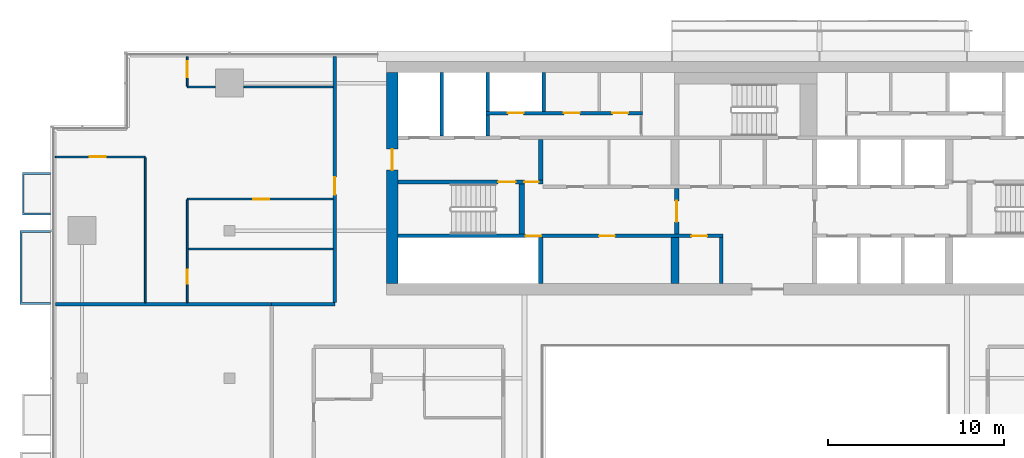
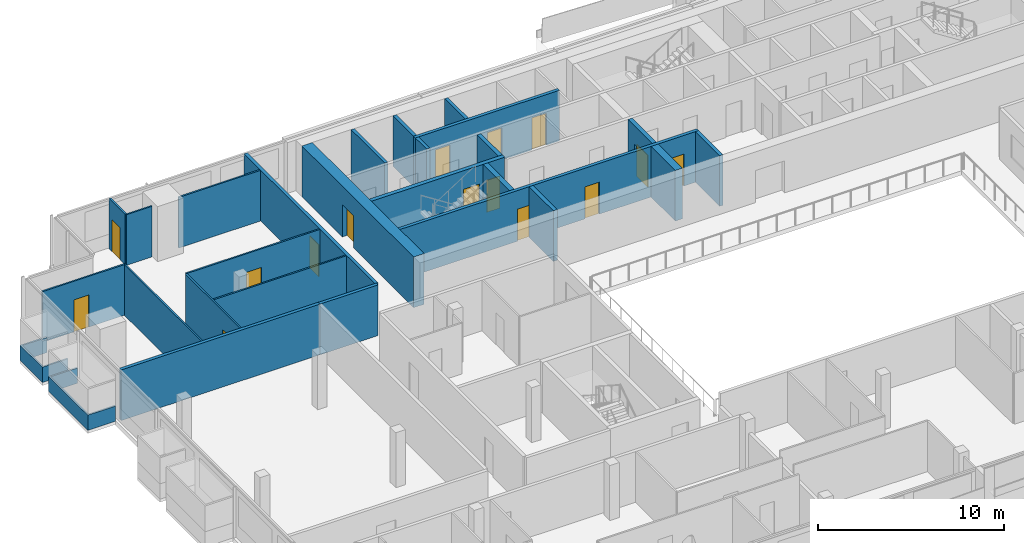
# One storey, part 21 of 27: 27 walls, 15 doors, 15 openings.
"""IFC4 building model written with IfcOpenShell, lengths in metres."""

from ifc_helpers import new_model, si_unit, direction, frame, frame_2d, origin, place, context, subcontext, project, spatial, polyline, rectangle, outline, extrude, material, layer, layer_set, type_object, element, fill, save


model = new_model("IFC4")

# Units and contexts
model_context = context("Model", 3, precision=1e-05, world=origin(), true_north=direction((0.0, 1.0)))
body_context = subcontext(model_context, "Body", "Model", "MODEL_VIEW")
ifc_project = project(units=[si_unit("LENGTHUNIT", "METRE"), si_unit("AREAUNIT", "SQUARE_METRE"), si_unit("VOLUMEUNIT", "CUBIC_METRE"), si_unit("PLANEANGLEUNIT", "RADIAN"), si_unit("MASSUNIT", "GRAM", prefix="KILO")], contexts=[model_context])

# Site, building, storey
site_placement = place(None, origin())
site = spatial("IfcSite", under=ifc_project, at=site_placement, CompositionType="ELEMENT")
building_placement = place(site_placement, origin())
building = spatial("IfcBuilding", under=site, at=building_placement, Name="Saffron Gate Tower", CompositionType="ELEMENT")
storey_placement = place(building_placement, frame((0.0, 0.0, 209.10009765625)))
storey = spatial("IfcBuildingStorey", under=building, at=storey_placement, Name="L50", CompositionType="ELEMENT", Elevation=209.10009765625)

# Walls
ifc_material_1 = material(Name="Gypsum board partition on steel studs", Category="steel")
ifc_layer_1 = layer(ifc_material_1, 0.199951171875)
ifc_layer_set_1 = layer_set([ifc_layer_1], Name="CW10 Core partition 200")
wall_type_1 = type_object("IfcWallType", Name="CW10 Core partition 200", PredefinedType="PARTITIONING", material=ifc_layer_set_1)
wall_1_placement = place(storey_placement, frame((86.199951171875, 62.39990234375, 0.0), z_axis=(0.0, 0.0, 1.0), x_axis=(0.0, 1.0, 0.0)))
element("IfcWall", 1, at=wall_1_placement, inside=storey, type_object=wall_type_1, Name="Wall CW10-L50-7", PredefinedType="PARTITIONING", context=body_context, shape_type="SweptSolid", body=[
    extrude(rectangle(XDim=2.60009765625, YDim=0.199951171875, at=frame_2d((1.300048828125, 0.0))), origin(), (0.0, 0.0, 1.0), 3.31982421875),
])
ifc_material_2 = material(Name="Concrete C60", Category="concrete")
ifc_layer_2 = layer(ifc_material_2, 0.25)
ifc_layer_set_2 = layer_set([ifc_layer_2], Name="CW14 RC core wall 250 C60")
wall_type_2 = type_object("IfcWallType", Name="CW14 RC core wall 250 C60", PredefinedType="SOLIDWALL", material=ifc_layer_set_2)
wall_2_placement = place(storey_placement, frame((75.925048828125, 62.39990234375, 0.0), z_axis=(0.0, 0.0, 1.0), x_axis=(0.0, 1.0, 0.0)))
element("IfcWall", 2, at=wall_2_placement, inside=storey, type_object=wall_type_2, Name="Wall CW14-L50-5", PredefinedType="SOLIDWALL", context=body_context, shape_type="SweptSolid", body=[
    extrude(rectangle(XDim=2.60009765625, YDim=0.25, at=frame_2d((1.300048828125, 0.0))), origin(), (0.0, 0.0, 1.0), 3.31982421875),
])

# Wall, opening, door
wall_3_placement = place(storey_placement, frame((83.675048828125, 65.199951171875, 0.0), z_axis=(0.0, 0.0, 1.0), x_axis=(0.0, 1.0, 0.0)))
wall_3 = element("IfcWall", 3, at=wall_3_placement, inside=storey, type_object=wall_type_2, Name="Wall CW14-L50-15", PredefinedType="SOLIDWALL", context=body_context, shape_type="SweptSolid", body=[
    extrude(rectangle(XDim=2.60009765625, YDim=0.25, at=frame_2d((1.300048828125, 0.0))), origin(), (0.0, 0.0, 1.0), 3.31982421875),
])
opening_1_placement = place(wall_3_placement, frame((0.699951171875, 0.0, 0.0)))
opening_1 = element("IfcOpeningElement", 4, at=opening_1_placement, cuts=wall_3, Name="Opening CR-07", PredefinedType="OPENING", context=body_context, shape_type="SweptSolid", body=[
    extrude(rectangle(XDim=1.199951171875, YDim=2.10009765625, at=frame_2d((0.60009765625, 1.050048828125))), frame((0.0, 0.135009765625, 0.0), z_axis=(0.0, -1.0, 0.0), x_axis=(1.0, 0.0, 0.0)), (0.0, 0.0, 1.0), 0.27001953125),
])
ifc_material_3 = material(Name="Steel fire door set", Category="steel")
door_type_1 = type_object("IfcDoorType", Name="CD3 Lobby door 1200x2100 EI 120", OperationType="NOTDEFINED", PredefinedType="DOOR", material=ifc_material_3)
door_1_placement = place(opening_1_placement, origin())
door_1 = element("IfcDoor", 5, at=door_1_placement, inside=storey, type_object=door_type_1, Name="DOOR CR-07", OperationType="SINGLE_SWING_RIGHT", OverallHeight=2.10009765625, OverallWidth=1.199951171875, PredefinedType="DOOR", context=body_context, shape_type="SweptSolid", body=[
    extrude(rectangle(XDim=1.199951171875, YDim=2.10009765625, at=frame_2d((0.60009765625, 1.050048828125))), frame((0.0, 0.02490234375, 0.0), z_axis=(0.0, -1.0, 0.0), x_axis=(1.0, 0.0, 0.0)), (0.0, 0.0, 1.0), 0.050048828125),
])
fill(opening_1, door_1)

# Wall, openings, doors
wall_4_placement = place(storey_placement, frame((67.800048828125, 68.175048828125, 0.0), z_axis=(0.0, 0.0, 1.0), x_axis=(1.0, 0.0, 0.0)))
wall_4 = element("IfcWall", 6, at=wall_4_placement, inside=storey, type_object=wall_type_2, Name="Wall CW14-L50-27", PredefinedType="SOLIDWALL", context=body_context, shape_type="SweptSolid", body=[
    extrude(rectangle(XDim=8.25, YDim=0.25, at=frame_2d((4.125, 0.0))), origin(), (0.0, 0.0, 1.0), 3.31982421875),
])
opening_2_placement = place(wall_4_placement, frame((5.699951171875, 0.0, 0.0)))
opening_2 = element("IfcOpeningElement", 7, at=opening_2_placement, cuts=wall_4, Name="Opening CR-15", PredefinedType="OPENING", context=body_context, shape_type="SweptSolid", body=[
    extrude(rectangle(XDim=1.0, YDim=2.10009765625, at=frame_2d((0.5, 1.050048828125))), frame((0.0, 0.135009765625, 0.0), z_axis=(0.0, -1.0, 0.0), x_axis=(1.0, 0.0, 0.0)), (0.0, 0.0, 1.0), 0.27001953125),
])
opening_3_placement = place(wall_4_placement, frame((7.199951171875, 0.0, 0.0)))
opening_3 = element("IfcOpeningElement", 8, at=opening_3_placement, cuts=wall_4, Name="Opening CR-06", PredefinedType="OPENING", context=body_context, shape_type="SweptSolid", body=[
    extrude(rectangle(XDim=0.800048828125, YDim=2.10009765625, at=frame_2d((0.39990234375, 1.050048828125))), frame((0.0, 0.135009765625, 0.0), z_axis=(0.0, -1.0, 0.0), x_axis=(1.0, 0.0, 0.0)), (0.0, 0.0, 1.0), 0.27001953125),
])
door_type_2 = type_object("IfcDoorType", Name="CD5 Stair door 1000x2100 EI 120", OperationType="NOTDEFINED", PredefinedType="DOOR", material=ifc_material_3)
door_2_placement = place(opening_2_placement, origin())
door_2 = element("IfcDoor", 9, at=door_2_placement, inside=storey, type_object=door_type_2, Name="DOOR CR-15", OperationType="SINGLE_SWING_RIGHT", OverallHeight=2.10009765625, OverallWidth=1.0, PredefinedType="DOOR", context=body_context, shape_type="SweptSolid", body=[
    extrude(rectangle(XDim=1.0, YDim=2.10009765625, at=frame_2d((0.5, 1.050048828125))), frame((0.0, 0.02490234375, 0.0), z_axis=(0.0, -1.0, 0.0), x_axis=(1.0, 0.0, 0.0)), (0.0, 0.0, 1.0), 0.050048828125),
])
fill(opening_2, door_2)
door_type_3 = type_object("IfcDoorType", Name="CD6 Lobby door 800x2100 EI 120", OperationType="NOTDEFINED", PredefinedType="DOOR", material=ifc_material_3)
door_3_placement = place(opening_3_placement, origin())
door_3 = element("IfcDoor", 10, at=door_3_placement, inside=storey, type_object=door_type_3, Name="DOOR CR-06", OperationType="SINGLE_SWING_LEFT", OverallHeight=2.10009765625, OverallWidth=0.800048828125, PredefinedType="DOOR", context=body_context, shape_type="SweptSolid", body=[
    extrude(rectangle(XDim=0.800048828125, YDim=2.10009765625, at=frame_2d((0.39990234375, 1.050048828125))), frame((0.0, 0.02490234375, 0.0), z_axis=(0.0, -1.0, 0.0), x_axis=(1.0, 0.0, 0.0)), (0.0, 0.0, 1.0), 0.050048828125),
])
fill(opening_3, door_3)

# Wall
wall_5_placement = place(storey_placement, frame((75.925048828125, 68.300048828125, 0.0), z_axis=(0.0, 0.0, 1.0), x_axis=(0.0, 1.0, 0.0)))
element("IfcWall", 11, at=wall_5_placement, inside=storey, type_object=wall_type_2, Name="Wall CW14-L50-29", PredefinedType="SOLIDWALL", context=body_context, shape_type="SweptSolid", body=[
    extrude(rectangle(XDim=2.300048828125, YDim=0.25, at=frame_2d((1.14990234375, 0.0))), origin(), (0.0, 0.0, 1.0), 3.31982421875),
])

# Wall, openings, doors
ifc_layer_3 = layer(ifc_material_2, 0.199951171875)
ifc_layer_set_3 = layer_set([ifc_layer_3], Name="CW15 RC core wall 200 C60")
wall_type_3 = type_object("IfcWallType", Name="CW15 RC core wall 200 C60", PredefinedType="SOLIDWALL", material=ifc_layer_set_3)
wall_6_placement = place(storey_placement, frame((67.800048828125, 65.10009765625, 0.0), z_axis=(0.0, 0.0, 1.0), x_axis=(1.0, 0.0, 0.0)))
wall_6 = element("IfcWall", 12, at=wall_6_placement, inside=storey, type_object=wall_type_3, Name="Wall CW15-L50-12", PredefinedType="SOLIDWALL", context=body_context, shape_type="SweptSolid", body=[
    extrude(rectangle(XDim=18.5, YDim=0.199951171875, at=frame_2d((9.25, 0.0))), origin(), (0.0, 0.0, 1.0), 3.31982421875),
])
opening_4_placement = place(wall_6_placement, frame((7.27001953125, 0.0, 0.0)))
opening_4 = element("IfcOpeningElement", 13, at=opening_4_placement, cuts=wall_6, Name="Opening CR-49", PredefinedType="OPENING", context=body_context, shape_type="SweptSolid", body=[
    extrude(rectangle(XDim=0.89990234375, YDim=2.10009765625, at=frame_2d((0.449951171875, 1.050048828125))), frame((0.0, 0.10986328125, 0.0), z_axis=(0.0, -1.0, 0.0), x_axis=(1.0, 0.0, 0.0)), (0.0, 0.0, 1.0), 0.219970703125),
])
opening_5_placement = place(wall_6_placement, frame((11.449951171875, 0.0, 0.0)))
opening_5 = element("IfcOpeningElement", 14, at=opening_5_placement, cuts=wall_6, Name="Opening CR-64", PredefinedType="OPENING", context=body_context, shape_type="SweptSolid", body=[
    extrude(rectangle(XDim=0.89990234375, YDim=2.10009765625, at=frame_2d((0.449951171875, 1.050048828125))), frame((0.0, 0.10986328125, 0.0), z_axis=(0.0, -1.0, 0.0), x_axis=(1.0, 0.0, 0.0)), (0.0, 0.0, 1.0), 0.219970703125),
])
opening_6_placement = place(wall_6_placement, frame((16.699951171875, 0.0, 0.0)))
opening_6 = element("IfcOpeningElement", 15, at=opening_6_placement, cuts=wall_6, Name="Opening CR-69", PredefinedType="OPENING", context=body_context, shape_type="SweptSolid", body=[
    extrude(rectangle(XDim=0.89990234375, YDim=2.10009765625, at=frame_2d((0.449951171875, 1.050048828125))), frame((0.0, 0.10986328125, 0.0), z_axis=(0.0, -1.0, 0.0), x_axis=(1.0, 0.0, 0.0)), (0.0, 0.0, 1.0), 0.219970703125),
])
door_type_4 = type_object("IfcDoorType", Name="CD2 Riser door 900x2100 EI 60", OperationType="NOTDEFINED", PredefinedType="DOOR", material=ifc_material_3)
door_4_placement = place(opening_4_placement, origin())
door_4 = element("IfcDoor", 16, at=door_4_placement, inside=storey, type_object=door_type_4, Name="DOOR CR-49", OperationType="SINGLE_SWING_LEFT", OverallHeight=2.10009765625, OverallWidth=0.89990234375, PredefinedType="DOOR", context=body_context, shape_type="SweptSolid", body=[
    extrude(rectangle(XDim=0.89990234375, YDim=2.10009765625, at=frame_2d((0.449951171875, 1.050048828125))), frame((0.0, 0.02490234375, 0.0), z_axis=(0.0, -1.0, 0.0), x_axis=(1.0, 0.0, 0.0)), (0.0, 0.0, 1.0), 0.050048828125),
])
fill(opening_4, door_4)
door_type_5 = type_object("IfcDoorType", Name="CD9 Room door 900x2100 EI 60", OperationType="NOTDEFINED", PredefinedType="DOOR", material=ifc_material_3)
door_5_placement = place(opening_5_placement, origin())
door_5 = element("IfcDoor", 17, at=door_5_placement, inside=storey, type_object=door_type_5, Name="DOOR CR-64", OperationType="SINGLE_SWING_RIGHT", OverallHeight=2.10009765625, OverallWidth=0.89990234375, PredefinedType="DOOR", context=body_context, shape_type="SweptSolid", body=[
    extrude(rectangle(XDim=0.89990234375, YDim=2.10009765625, at=frame_2d((0.449951171875, 1.050048828125))), frame((0.0, 0.02490234375, 0.0), z_axis=(0.0, -1.0, 0.0), x_axis=(1.0, 0.0, 0.0)), (0.0, 0.0, 1.0), 0.050048828125),
])
fill(opening_5, door_5)
door_6_placement = place(opening_6_placement, origin())
door_6 = element("IfcDoor", 18, at=door_6_placement, inside=storey, type_object=door_type_5, Name="DOOR CR-69", OperationType="SINGLE_SWING_RIGHT", OverallHeight=2.10009765625, OverallWidth=0.89990234375, PredefinedType="DOOR", context=body_context, shape_type="SweptSolid", body=[
    extrude(rectangle(XDim=0.89990234375, YDim=2.10009765625, at=frame_2d((0.449951171875, 1.050048828125))), frame((0.0, 0.02490234375, 0.0), z_axis=(0.0, -1.0, 0.0), x_axis=(1.0, 0.0, 0.0)), (0.0, 0.0, 1.0), 0.050048828125),
])
fill(opening_6, door_6)

# Walls
wall_7_placement = place(storey_placement, frame((70.300048828125, 70.800048828125, 0.0), z_axis=(0.0, 0.0, 1.0), x_axis=(0.0, 1.0, 0.0)))
element("IfcWall", 19, at=wall_7_placement, inside=storey, type_object=wall_type_3, Name="Wall CW15-L50-32", PredefinedType="SOLIDWALL", context=body_context, shape_type="SweptSolid", body=[
    extrude(rectangle(XDim=3.599853515625, YDim=0.199951171875, at=frame_2d((1.7998046875, 0.0))), origin(), (0.0, 0.0, 1.0), 3.31982421875),
])
wall_8_placement = place(storey_placement, frame((72.89990234375, 70.800048828125, 0.0), z_axis=(0.0, 0.0, 1.0), x_axis=(0.0, 1.0, 0.0)))
element("IfcWall", 20, at=wall_8_placement, inside=storey, type_object=wall_type_3, Name="Wall CW15-L50-33", PredefinedType="SOLIDWALL", context=body_context, shape_type="SweptSolid", body=[
    extrude(rectangle(XDim=1.199951171875, YDim=0.199951171875, at=frame_2d((0.60009765625, 0.0))), origin(), (0.0, 0.0, 1.0), 3.31982421875),
])

# Wall, openings, doors
wall_9_placement = place(storey_placement, frame((72.800048828125, 72.10009765625, 0.0), z_axis=(0.0, 0.0, 1.0), x_axis=(1.0, 0.0, 0.0)))
wall_9 = element("IfcWall", 21, at=wall_9_placement, inside=storey, type_object=wall_type_3, Name="Wall CW15-L50-40", PredefinedType="SOLIDWALL", context=body_context, shape_type="SweptSolid", body=[
    extrude(rectangle(XDim=8.919921875, YDim=0.199951171875, at=frame_2d((4.4599609375, 0.0))), origin(), (0.0, 0.0, 1.0), 3.31982421875),
])
opening_7_placement = place(wall_9_placement, frame((1.25, 0.0, 0.0)))
opening_7 = element("IfcOpeningElement", 22, at=opening_7_placement, cuts=wall_9, Name="Opening CR-71", PredefinedType="OPENING", context=body_context, shape_type="SweptSolid", body=[
    extrude(rectangle(XDim=0.89990234375, YDim=2.10009765625, at=frame_2d((0.449951171875, 1.050048828125))), frame((0.0, 0.10986328125, 0.0), z_axis=(0.0, -1.0, 0.0), x_axis=(1.0, 0.0, 0.0)), (0.0, 0.0, 1.0), 0.219970703125),
])
opening_8_placement = place(wall_9_placement, frame((4.449951171875, 0.0, 0.0)))
opening_8 = element("IfcOpeningElement", 23, at=opening_8_placement, cuts=wall_9, Name="Opening CR-55", PredefinedType="OPENING", context=body_context, shape_type="SweptSolid", body=[
    extrude(rectangle(XDim=0.89990234375, YDim=2.10009765625, at=frame_2d((0.449951171875, 1.050048828125))), frame((0.0, 0.10986328125, 0.0), z_axis=(0.0, -1.0, 0.0), x_axis=(1.0, 0.0, 0.0)), (0.0, 0.0, 1.0), 0.219970703125),
])
opening_9_placement = place(wall_9_placement, frame((7.2099609375, 0.0, 0.0)))
opening_9 = element("IfcOpeningElement", 24, at=opening_9_placement, cuts=wall_9, Name="Opening CR-58", PredefinedType="OPENING", context=body_context, shape_type="SweptSolid", body=[
    extrude(rectangle(XDim=0.89990234375, YDim=2.10009765625, at=frame_2d((0.449951171875, 1.050048828125))), frame((0.0, 0.10986328125, 0.0), z_axis=(0.0, -1.0, 0.0), x_axis=(1.0, 0.0, 0.0)), (0.0, 0.0, 1.0), 0.219970703125),
])
door_7_placement = place(opening_7_placement, origin())
door_7 = element("IfcDoor", 25, at=door_7_placement, inside=storey, type_object=door_type_4, Name="DOOR CR-71", OperationType="SINGLE_SWING_LEFT", OverallHeight=2.10009765625, OverallWidth=0.89990234375, PredefinedType="DOOR", context=body_context, shape_type="SweptSolid", body=[
    extrude(rectangle(XDim=0.89990234375, YDim=2.10009765625, at=frame_2d((0.449951171875, 1.050048828125))), frame((0.0, 0.02490234375, 0.0), z_axis=(0.0, -1.0, 0.0), x_axis=(1.0, 0.0, 0.0)), (0.0, 0.0, 1.0), 0.050048828125),
])
fill(opening_7, door_7)
door_8_placement = place(opening_8_placement, origin())
door_8 = element("IfcDoor", 26, at=door_8_placement, inside=storey, type_object=door_type_5, Name="DOOR CR-55", OperationType="SINGLE_SWING_LEFT", OverallHeight=2.10009765625, OverallWidth=0.89990234375, PredefinedType="DOOR", context=body_context, shape_type="SweptSolid", body=[
    extrude(rectangle(XDim=0.89990234375, YDim=2.10009765625, at=frame_2d((0.449951171875, 1.050048828125))), frame((0.0, 0.02490234375, 0.0), z_axis=(0.0, -1.0, 0.0), x_axis=(1.0, 0.0, 0.0)), (0.0, 0.0, 1.0), 0.050048828125),
])
fill(opening_8, door_8)
door_9_placement = place(opening_9_placement, origin())
door_9 = element("IfcDoor", 27, at=door_9_placement, inside=storey, type_object=door_type_5, Name="DOOR CR-58", OperationType="SINGLE_SWING_LEFT", OverallHeight=2.10009765625, OverallWidth=0.89990234375, PredefinedType="DOOR", context=body_context, shape_type="SweptSolid", body=[
    extrude(rectangle(XDim=0.89990234375, YDim=2.10009765625, at=frame_2d((0.449951171875, 1.050048828125))), frame((0.0, 0.02490234375, 0.0), z_axis=(0.0, -1.0, 0.0), x_axis=(1.0, 0.0, 0.0)), (0.0, 0.0, 1.0), 0.050048828125),
])
fill(opening_9, door_9)

# Walls
for number, where, z_axis, x_axis, name in (
    (28, (72.89990234375, 72.199951171875, 0.0), (0.0, 0.0, 1.0), (0.0, 1.0, 0.0), "Wall CW15-L50-42"),
    (29, (76.10009765625, 72.199951171875, 0.0), (0.0, 0.0, 1.0), (0.0, 1.0, 0.0), "Wall CW15-L50-43"),
):
    element("IfcWall", number, at=place(storey_placement, frame(where, z_axis=z_axis, x_axis=x_axis)), inside=storey, type_object=wall_type_3, Name=name, PredefinedType="SOLIDWALL", context=body_context, shape_type="SweptSolid", body=[
        extrude(rectangle(XDim=2.199951171875, YDim=0.199951171875, at=frame_2d((1.10009765625, 0.0))), origin(), (0.0, 0.0, 1.0), 3.31982421875),
    ])
ifc_layer_4 = layer(ifc_material_2, 0.449951171875)
ifc_layer_set_4 = layer_set([ifc_layer_4], Name="CW16 RC core wall 450 C60")
wall_type_4 = type_object("IfcWallType", Name="CW16 RC core wall 450 C60", PredefinedType="SOLIDWALL", material=ifc_layer_set_4)
wall_10_placement = place(storey_placement, frame((83.574951171875, 62.39990234375, 0.0), z_axis=(0.0, 0.0, 1.0), x_axis=(0.0, 1.0, 0.0)))
element("IfcWall", 30, at=wall_10_placement, inside=storey, type_object=wall_type_4, Name="Wall CW16-L50-6", PredefinedType="SOLIDWALL", context=body_context, shape_type="SweptSolid", body=[
    extrude(rectangle(XDim=2.60009765625, YDim=0.449951171875, at=frame_2d((1.300048828125, 0.0))), origin(), (0.0, 0.0, 1.0), 3.31982421875),
])
ifc_layer_5 = layer(ifc_material_2, 0.300048828125)
ifc_layer_set_5 = layer_set([ifc_layer_5], Name="CW17 RC core wall 300 C60")
wall_type_5 = type_object("IfcWallType", Name="CW17 RC core wall 300 C60", PredefinedType="SOLIDWALL", material=ifc_layer_set_5)
wall_11_placement = place(storey_placement, frame((74.85009765625, 65.199951171875, 0.0), z_axis=(0.0, 0.0, 1.0), x_axis=(0.0, 1.0, 0.0)))
element("IfcWall", 31, at=wall_11_placement, inside=storey, type_object=wall_type_5, Name="Wall CW17-L50-14", PredefinedType="SOLIDWALL", context=body_context, shape_type="SweptSolid", body=[
    extrude(rectangle(XDim=2.85009765625, YDim=0.300048828125, at=frame_2d((1.425048828125, 0.0))), origin(), (0.0, 0.0, 1.0), 3.31982421875),
])

# Wall, opening, door
ifc_layer_6 = layer(ifc_material_2, 0.64990234375)
ifc_layer_set_6 = layer_set([ifc_layer_6], Name="CW20 RC core wall 650 C60")
wall_type_6 = type_object("IfcWallType", Name="CW20 RC core wall 650 C60", PredefinedType="SOLIDWALL", material=ifc_layer_set_6)
wall_12_placement = place(storey_placement, frame((67.47509765625, 62.39990234375, 0.0), z_axis=(0.0, 0.0, 1.0), x_axis=(0.0, 1.0, 0.0)))
wall_12 = element("IfcWall", 32, at=wall_12_placement, inside=storey, type_object=wall_type_6, Name="Wall CW20-L50-3", PredefinedType="SOLIDWALL", context=body_context, shape_type="SweptSolid", body=[
    extrude(rectangle(XDim=12.0, YDim=0.64990234375, at=frame_2d((6.0, 0.0))), origin(), (0.0, 0.0, 1.0), 3.31982421875),
])
opening_10_placement = place(wall_12_placement, frame((6.449951171875, 0.0, 0.0)))
opening_10 = element("IfcOpeningElement", 33, at=opening_10_placement, cuts=wall_12, Name="Opening CR-10", PredefinedType="OPENING", context=body_context, shape_type="SweptSolid", body=[
    extrude(rectangle(XDim=1.199951171875, YDim=2.10009765625, at=frame_2d((0.60009765625, 1.050048828125))), frame((0.0, 0.3349609375, 0.0), z_axis=(0.0, -1.0, 0.0), x_axis=(1.0, 0.0, 0.0)), (0.0, 0.0, 1.0), 0.669921875),
])
door_type_6 = type_object("IfcDoorType", Name="CD7 Core entrance door 1200x2100 EI 120", OperationType="NOTDEFINED", PredefinedType="DOOR", material=ifc_material_3)
door_10_placement = place(opening_10_placement, origin())
door_10 = element("IfcDoor", 34, at=door_10_placement, inside=storey, type_object=door_type_6, Name="DOOR CR-10", OperationType="SINGLE_SWING_LEFT", OverallHeight=2.10009765625, OverallWidth=1.199951171875, PredefinedType="DOOR", context=body_context, shape_type="SweptSolid", body=[
    extrude(rectangle(XDim=1.199951171875, YDim=2.10009765625, at=frame_2d((0.60009765625, 1.050048828125))), frame((0.0, 0.02490234375, 0.0), z_axis=(0.0, -1.0, 0.0), x_axis=(1.0, 0.0, 0.0)), (0.0, 0.0, 1.0), 0.050048828125),
])
fill(opening_10, door_10)

# Wall
ifc_material_4 = material(Name="Plasterboard on steel studs", Category="steel")
ifc_layer_7 = layer(ifc_material_4, 0.10009765625)
ifc_layer_set_7 = layer_set([ifc_layer_7], Name="PW1 Partition 100")
wall_type_7 = type_object("IfcWallType", Name="PW1 Partition 100", PredefinedType="PARTITIONING", material=ifc_layer_set_7)
wall_13_placement = place(storey_placement, frame((55.85009765625, 64.354736328125, 0.0), z_axis=(0.0, 0.0, 1.0), x_axis=(1.0, 0.0, 0.0)))
element("IfcWall", 35, at=wall_13_placement, inside=storey, type_object=wall_type_7, Name="Partition D1-33", PredefinedType="PARTITIONING", context=body_context, shape_type="SweptSolid", body=[
    extrude(rectangle(XDim=8.25, YDim=0.10009765625, at=frame_2d((4.125, 0.0))), origin(), (0.0, 0.0, 1.0), 3.31982421875),
])

# Wall, opening, door
wall_14_placement = place(storey_placement, frame((64.10009765625, 67.199951171875, 0.0), z_axis=(0.0, 0.0, 1.0), x_axis=(-1.0, 0.0, 0.0)))
wall_14 = element("IfcWall", 36, at=wall_14_placement, inside=storey, type_object=wall_type_7, Name="Partition D1-36", PredefinedType="PARTITIONING", context=body_context, shape_type="SweptSolid", body=[
    extrude(rectangle(XDim=8.300048828125, YDim=0.10009765625, at=frame_2d((4.14990234375, 0.0))), origin(), (0.0, 0.0, 1.0), 3.31982421875),
])
opening_11_placement = place(wall_14_placement, frame((3.64990234375, 0.0, 0.0)))
opening_11 = element("IfcOpeningElement", 37, at=opening_11_placement, cuts=wall_14, Name="Opening D1-26", PredefinedType="OPENING", context=body_context, shape_type="SweptSolid", body=[
    extrude(rectangle(XDim=0.89990234375, YDim=2.10009765625, at=frame_2d((0.449951171875, 1.050048828125))), frame((0.0, 0.06005859375, 0.0), z_axis=(0.0, -1.0, 0.0), x_axis=(1.0, 0.0, 0.0)), (0.0, 0.0, 1.0), 0.1201171875),
])
ifc_material_5 = material(Name="Timber door set", Category="wood")
door_type_7 = type_object("IfcDoorType", Name="RD1 Room door 900x2100", OperationType="NOTDEFINED", PredefinedType="DOOR", material=ifc_material_5)
door_11_placement = place(opening_11_placement, origin())
door_11 = element("IfcDoor", 38, at=door_11_placement, inside=storey, type_object=door_type_7, Name="Door D1-26", OperationType="SINGLE_SWING_LEFT", OverallHeight=2.10009765625, OverallWidth=0.89990234375, PredefinedType="DOOR", context=body_context, shape_type="SweptSolid", body=[
    extrude(rectangle(XDim=0.89990234375, YDim=2.10009765625, at=frame_2d((0.449951171875, 1.050048828125))), frame((0.0, 0.02490234375, 0.0), z_axis=(0.0, -1.0, 0.0), x_axis=(1.0, 0.0, 0.0)), (0.0, 0.0, 1.0), 0.050048828125),
])
fill(opening_11, door_11)

wall_15_placement = place(storey_placement, frame((53.39990234375, 69.60009765625, 0.0), z_axis=(0.0, 0.0, 1.0), x_axis=(-1.0, 0.0, 0.0)))
wall_15 = element("IfcWall", 39, at=wall_15_placement, inside=storey, type_object=wall_type_7, Name="Partition D1-38", PredefinedType="PARTITIONING", context=body_context, shape_type="SweptSolid", body=[
    extrude(rectangle(XDim=5.119873046875, YDim=0.10009765625, at=frame_2d((2.56005859375, 0.0))), origin(), (0.0, 0.0, 1.0), 3.31982421875),
])
opening_12_placement = place(wall_15_placement, frame((2.25, 0.0, 0.0)))
opening_12 = element("IfcOpeningElement", 40, at=opening_12_placement, cuts=wall_15, Name="Opening D1-24", PredefinedType="OPENING", context=body_context, shape_type="SweptSolid", body=[
    extrude(rectangle(XDim=0.89990234375, YDim=2.10009765625, at=frame_2d((0.449951171875, 1.050048828125))), frame((0.0, 0.06005859375, 0.0), z_axis=(0.0, -1.0, 0.0), x_axis=(1.0, 0.0, 0.0)), (0.0, 0.0, 1.0), 0.1201171875),
])
door_12_placement = place(opening_12_placement, origin())
door_12 = element("IfcDoor", 41, at=door_12_placement, inside=storey, type_object=door_type_7, Name="Door D1-24", OperationType="SINGLE_SWING_RIGHT", OverallHeight=2.10009765625, OverallWidth=0.89990234375, PredefinedType="DOOR", context=body_context, shape_type="SweptSolid", body=[
    extrude(rectangle(XDim=0.89990234375, YDim=2.10009765625, at=frame_2d((0.449951171875, 1.050048828125))), frame((0.0, 0.02490234375, 0.0), z_axis=(0.0, -1.0, 0.0), x_axis=(1.0, 0.0, 0.0)), (0.0, 0.0, 1.0), 0.050048828125),
])
fill(opening_12, door_12)

# Walls
wall_16_placement = place(storey_placement, frame((55.800048828125, 73.5810546875, 0.0), z_axis=(0.0, 0.0, 1.0), x_axis=(1.0, 0.0, 0.0)))
element("IfcWall", 42, at=wall_16_placement, inside=storey, type_object=wall_type_7, Name="Partition D1-41", PredefinedType="PARTITIONING", context=body_context, shape_type="SweptSolid", body=[
    extrude(rectangle(XDim=1.579833984375, YDim=0.10009765625, at=frame_2d((0.7900390625, 0.0))), origin(), (0.0, 0.0, 1.0), 3.31982421875),
])
wall_17_placement = place(storey_placement, frame((59.02001953125, 73.5810546875, 0.0), z_axis=(0.0, 0.0, 1.0), x_axis=(1.0, 0.0, 0.0)))
element("IfcWall", 43, at=wall_17_placement, inside=storey, type_object=wall_type_7, Name="Partition D1-42", PredefinedType="PARTITIONING", context=body_context, shape_type="SweptSolid", body=[
    extrude(rectangle(XDim=5.080078125, YDim=0.10009765625, at=frame_2d((2.5400390625, 0.0))), origin(), (0.0, 0.0, 1.0), 3.31982421875),
])
wall_18_placement = place(storey_placement, frame((53.39990234375, 69.550048828125, 0.0), z_axis=(0.0, 0.0, 1.0), x_axis=(0.0, -1.0, 0.0)))
element("IfcWall", 44, at=wall_18_placement, inside=storey, type_object=wall_type_7, Name="Partition D1-46", PredefinedType="PARTITIONING", context=body_context, shape_type="SweptSolid", body=[
    extrude(rectangle(XDim=8.25, YDim=0.10009765625, at=frame_2d((4.125, 0.0))), origin(), (0.0, 0.0, 1.0), 3.31982421875),
])

# Wall, opening, door
wall_19_placement = place(storey_placement, frame((55.800048828125, 67.14990234375, 0.0), z_axis=(0.0, 0.0, 1.0), x_axis=(0.0, -1.0, 0.0)))
wall_19 = element("IfcWall", 45, at=wall_19_placement, inside=storey, type_object=wall_type_7, Name="Partition D1-48", PredefinedType="PARTITIONING", context=body_context, shape_type="SweptSolid", body=[
    extrude(rectangle(XDim=5.849853515625, YDim=0.10009765625, at=frame_2d((2.9248046875, 0.0))), origin(), (0.0, 0.0, 1.0), 3.31982421875),
])
opening_13_placement = place(wall_19_placement, frame((3.97265625, 0.0, 0.0)))
opening_13 = element("IfcOpeningElement", 46, at=opening_13_placement, cuts=wall_19, Name="Opening D1-38", PredefinedType="OPENING", context=body_context, shape_type="SweptSolid", body=[
    extrude(rectangle(XDim=0.800048828125, YDim=2.10009765625, at=frame_2d((0.39990234375, 1.050048828125))), frame((0.0, 0.06005859375, 0.0), z_axis=(0.0, -1.0, 0.0), x_axis=(1.0, 0.0, 0.0)), (0.0, 0.0, 1.0), 0.1201171875),
])
door_type_8 = type_object("IfcDoorType", Name="RD2 Bathroom door 800x2100", OperationType="NOTDEFINED", PredefinedType="DOOR", material=ifc_material_5)
door_13_placement = place(opening_13_placement, origin())
door_13 = element("IfcDoor", 47, at=door_13_placement, inside=storey, type_object=door_type_8, Name="Door D1-38", OperationType="SINGLE_SWING_RIGHT", OverallHeight=2.10009765625, OverallWidth=0.800048828125, PredefinedType="DOOR", context=body_context, shape_type="SweptSolid", body=[
    extrude(rectangle(XDim=0.800048828125, YDim=2.10009765625, at=frame_2d((0.39990234375, 1.050048828125))), frame((0.0, 0.02490234375, 0.0), z_axis=(0.0, -1.0, 0.0), x_axis=(1.0, 0.0, 0.0)), (0.0, 0.0, 1.0), 0.050048828125),
])
fill(opening_13, door_13)

wall_20_placement = place(storey_placement, frame((55.800048828125, 75.320068359375, 0.0), z_axis=(0.0, 0.0, 1.0), x_axis=(0.0, -1.0, 0.0)))
wall_20 = element("IfcWall", 48, at=wall_20_placement, inside=storey, type_object=wall_type_7, Name="Partition D1-49", PredefinedType="PARTITIONING", context=body_context, shape_type="SweptSolid", body=[
    extrude(rectangle(XDim=1.68896484375, YDim=0.10009765625, at=frame_2d((0.844482421875, 0.0))), origin(), (0.0, 0.0, 1.0), 3.31982421875),
])
opening_14_placement = place(wall_20_placement, frame((0.279541015625, 0.0, 0.0)))
opening_14 = element("IfcOpeningElement", 49, at=opening_14_placement, cuts=wall_20, Name="Opening D1-25", PredefinedType="OPENING", context=body_context, shape_type="SweptSolid", body=[
    extrude(rectangle(XDim=0.89990234375, YDim=2.10009765625, at=frame_2d((0.449951171875, 1.050048828125))), frame((0.0, 0.06005859375, 0.0), z_axis=(0.0, -1.0, 0.0), x_axis=(1.0, 0.0, 0.0)), (0.0, 0.0, 1.0), 0.1201171875),
])
door_14_placement = place(opening_14_placement, origin())
door_14 = element("IfcDoor", 50, at=door_14_placement, inside=storey, type_object=door_type_7, Name="Door D1-25", OperationType="SINGLE_SWING_LEFT", OverallHeight=2.10009765625, OverallWidth=0.89990234375, PredefinedType="DOOR", context=body_context, shape_type="SweptSolid", body=[
    extrude(rectangle(XDim=0.89990234375, YDim=2.10009765625, at=frame_2d((0.449951171875, 1.050048828125))), frame((0.0, 0.02490234375, 0.0), z_axis=(0.0, -1.0, 0.0), x_axis=(1.0, 0.0, 0.0)), (0.0, 0.0, 1.0), 0.050048828125),
])
fill(opening_14, door_14)

# Wall
ifc_material_6 = material(Name="Clay brick masonry, rendered", Category="masonry")
ifc_layer_8 = layer(ifc_material_6, 0.199951171875)
ifc_layer_set_8 = layer_set([ifc_layer_8], Name="PW3 Corridor wall 200")
wall_type_8 = type_object("IfcWallType", Name="PW3 Corridor wall 200", PredefinedType="PARTITIONING", material=ifc_layer_set_8)
wall_21_placement = place(storey_placement, frame((60.60009765625, 61.199951171875, 0.0), z_axis=(0.0, 0.0, 1.0), x_axis=(1.0, 0.0, 0.0)))
element("IfcWall", 51, at=wall_21_placement, inside=storey, type_object=wall_type_8, Name="Wall D1-29", PredefinedType="PARTITIONING", context=body_context, shape_type="SweptSolid", body=[
    extrude(rectangle(XDim=3.599853515625, YDim=0.199951171875, at=frame_2d((1.7998046875, 0.0))), origin(), (0.0, 0.0, 1.0), 3.31982421875),
])

# Wall, opening, door
wall_22_placement = place(storey_placement, frame((64.199951171875, 61.300048828125, 0.0), z_axis=(0.0, 0.0, 1.0), x_axis=(0.0, 1.0, 0.0)))
wall_22 = element("IfcWall", 52, at=wall_22_placement, inside=storey, type_object=wall_type_8, Name="Wall D1-57", PredefinedType="PARTITIONING", context=body_context, shape_type="SweptSolid", body=[
    extrude(rectangle(XDim=14.02001953125, YDim=0.199951171875, at=frame_2d((7.010009765625, 0.0))), origin(), (0.0, 0.0, 1.0), 3.31982421875),
])
opening_15_placement = place(wall_22_placement, frame((6.14990234375, 0.0, 0.0)))
opening_15 = element("IfcOpeningElement", 53, at=opening_15_placement, cuts=wall_22, Name="Opening D1-5", PredefinedType="OPENING", context=body_context, shape_type="SweptSolid", body=[
    extrude(rectangle(XDim=1.0, YDim=2.10009765625, at=frame_2d((0.5, 1.050048828125))), frame((0.0, 0.10986328125, 0.0), z_axis=(0.0, -1.0, 0.0), x_axis=(1.0, 0.0, 0.0)), (0.0, 0.0, 1.0), 0.219970703125),
])
ifc_material_7 = material(Name="Timber fire door set", Category="wood")
door_type_9 = type_object("IfcDoorType", Name="FD1 Flat entry door 1000x2100", OperationType="NOTDEFINED", PredefinedType="DOOR", material=ifc_material_7)
door_15_placement = place(opening_15_placement, origin())
door_15 = element("IfcDoor", 54, at=door_15_placement, inside=storey, type_object=door_type_9, Name="Door D1-5", OperationType="SINGLE_SWING_LEFT", OverallHeight=2.10009765625, OverallWidth=1.0, PredefinedType="DOOR", context=body_context, shape_type="SweptSolid", body=[
    extrude(rectangle(XDim=1.0, YDim=2.10009765625, at=frame_2d((0.5, 1.050048828125))), frame((0.0, 0.02490234375, 0.0), z_axis=(0.0, -1.0, 0.0), x_axis=(1.0, 0.0, 0.0)), (0.0, 0.0, 1.0), 0.050048828125),
])
fill(opening_15, door_15)

# Walls
ifc_layer_9 = layer(ifc_material_6, 0.199951171875)
ifc_layer_set_9 = layer_set([ifc_layer_9], Name="PW5 Room wall 200")
wall_type_9 = type_object("IfcWallType", Name="PW5 Room wall 200", PredefinedType="PARTITIONING", material=ifc_layer_set_9)
wall_23_placement = place(storey_placement, frame((48.280029296875, 61.199951171875, 0.0), z_axis=(0.0, 0.0, 1.0), x_axis=(1.0, 0.0, 0.0)))
element("IfcWall", 55, at=wall_23_placement, inside=storey, type_object=wall_type_9, Name="Wall D1-31", PredefinedType="PARTITIONING", context=body_context, shape_type="SweptSolid", body=[
    extrude(rectangle(XDim=12.320068359375, YDim=0.199951171875, at=frame_2d((6.16015625, 0.0))), origin(), (0.0, 0.0, 1.0), 3.31982421875),
])
ifc_material_8 = material(Name="Rendered insulated panel, white")
ifc_layer_10 = layer(ifc_material_8, 0.10009765625)
ifc_layer_set_10 = layer_set([ifc_layer_10], Name="WB3 box parapet white")
wall_type_10 = type_object("IfcWallType", Name="WB3 box parapet white", PredefinedType="SOLIDWALL", material=ifc_layer_set_10)
wall_24_placement = place(storey_placement, origin())
element("IfcWall", 56, at=wall_24_placement, inside=storey, type_object=wall_type_10, Name="WINDOW BOX parapet", PredefinedType="SOLIDWALL", context=body_context, shape_type="SweptSolid", body=[
    extrude(outline(polyline([(48.0, 68.699951171875), (48.0, 68.60009765625), (46.5, 68.60009765625), (46.5, 66.39990234375), (48.0, 66.39990234375), (48.0, 66.300048828125), (46.39990234375, 66.300048828125), (46.39990234375, 68.699951171875), (48.0, 68.699951171875)])), origin(), (0.0, 0.0, 1.0), 1.0),
])
wall_25_placement = place(storey_placement, origin())
element("IfcWall", 57, at=wall_25_placement, inside=storey, type_object=wall_type_10, Name="WINDOW BOX parapet", PredefinedType="SOLIDWALL", context=body_context, shape_type="SweptSolid", body=[
    extrude(outline(polyline([(48.0, 65.39990234375), (48.0, 65.300048828125), (46.366943359375, 65.300048828125), (46.366943359375, 61.300048828125), (48.0, 61.300048828125), (48.0, 61.199951171875), (46.26708984375, 61.199951171875), (46.26708984375, 65.39990234375), (48.0, 65.39990234375)])), origin(), (0.0, 0.0, 1.0), 1.0),
])

save(model, "model.ifc")
